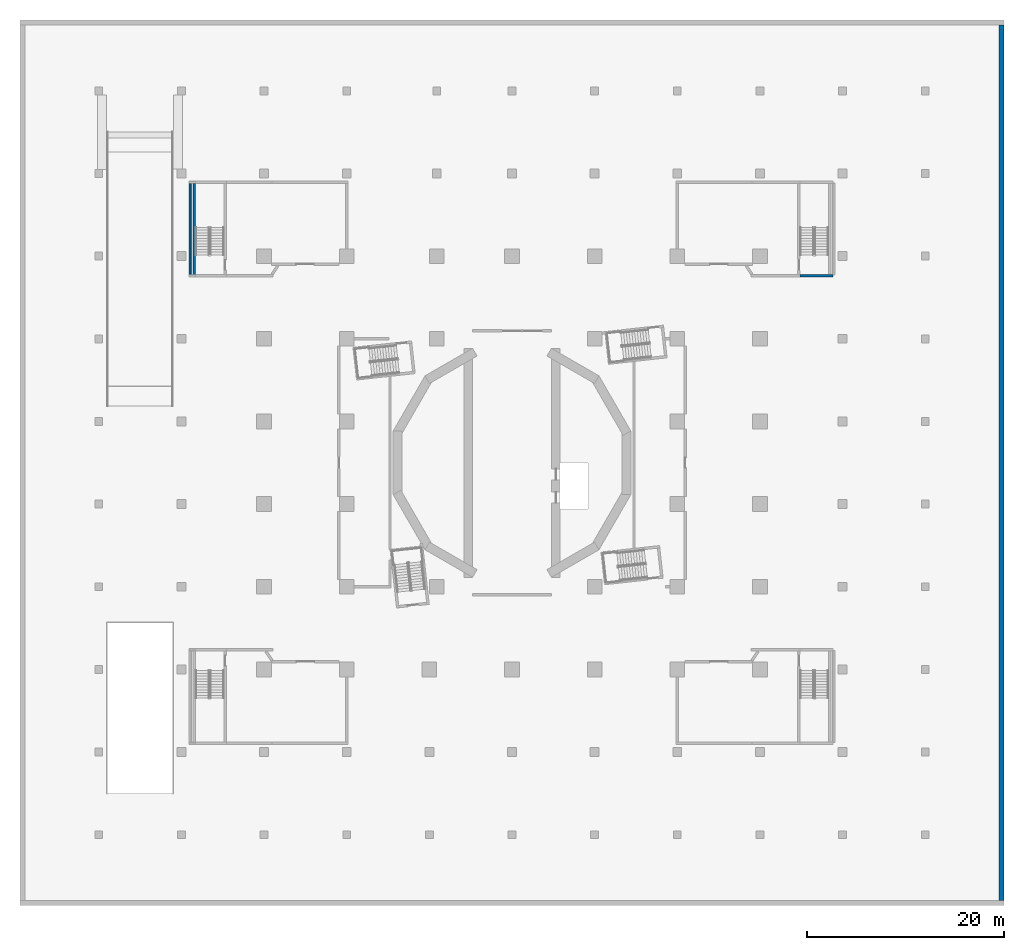
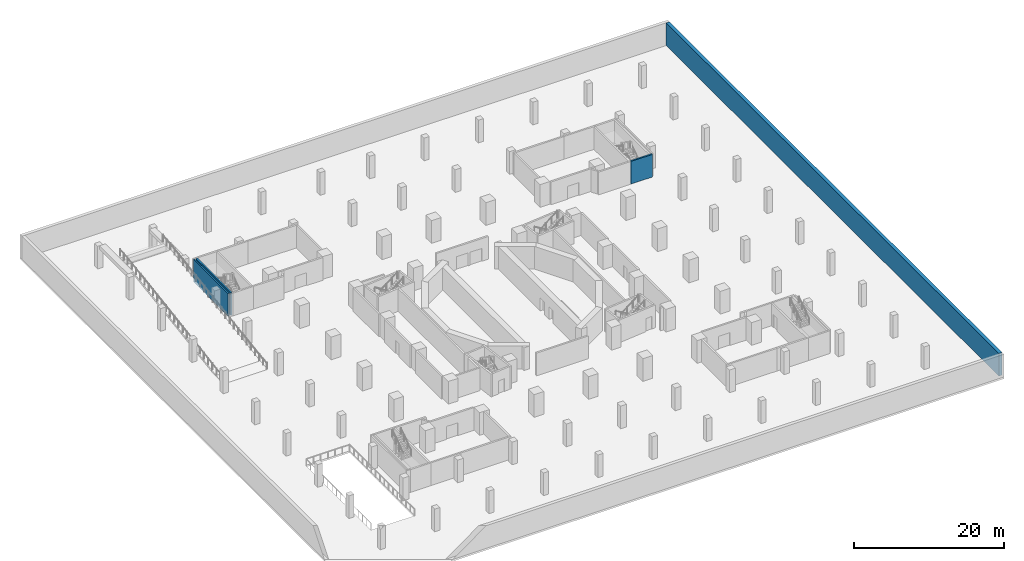
# One storey, part 7 of 18: 4 walls.
"""IFC4 building model written with IfcOpenShell, lengths in metres."""

import ifcopenshell
import ifcopenshell.guid

model = None  # the IFC model being written
_history = None  # IfcOwnerHistory: only IFC2X3 demands one
_inside = {}  # id of a spatial element -> (the spatial element, [elements in it])
_under = {}  # id of a project, library or spatial element -> (it, [spatial elements below it])
_declared = {}  # id of a project -> (the project, [libraries it declares])
_typed = {}  # id of a type object -> (the type object, [elements of that type])
_made_of = {}  # id of a material, layer set ... -> (it, [elements and type objects made of it])


def new_model(schema):
    """Start an empty IFC model of exactly this schema.

    Asked for "IFC4X3", IfcOpenShell would pick the latest addendum, in which some entities
    have other attributes; the version numbers below select the first issue.
    IFC2X3 requires an IfcOwnerHistory on every rooted entity: one is made here for all.
    """
    global model, _history
    if schema == "IFC4X3":
        model = ifcopenshell.file(schema_version=(4, 3, 0, 0))
    else:
        model = ifcopenshell.file(schema=schema)
    _inside.clear()
    _under.clear()
    _declared.clear()
    _typed.clear()
    _made_of.clear()
    _history = None
    if model.schema == "IFC2X3":
        org = make("IfcOrganization", Name="unknown")
        user = make(
            "IfcPersonAndOrganization",
            ThePerson=make("IfcPerson", FamilyName="unknown"),
            TheOrganization=org,
        )
        app = make(
            "IfcApplication",
            ApplicationDeveloper=org,
            Version="unknown",
            ApplicationFullName="unknown",
            ApplicationIdentifier="unknown",
        )
        _history = make(
            "IfcOwnerHistory",
            OwningUser=user,
            OwningApplication=app,
            ChangeAction="ADDED",
            CreationDate=0,
        )
    return model


def make(cls, **values):
    """One entity of the class cls with the attributes given. An attribute that is None is left unset."""
    return model.create_entity(
        cls, **{name: value for name, value in values.items() if value is not None}
    )


def rooted(cls, **values):
    """An entity with a GlobalId (a new one), such as an element, a storey or a relation."""
    return make(cls, GlobalId=ifcopenshell.guid.new(), OwnerHistory=_history, **values)


def si_unit(unit_type, name, prefix=None):
    """IfcSIUnit, for example si_unit("LENGTHUNIT", "METRE", prefix="MILLI")."""
    return make("IfcSIUnit", UnitType=unit_type, Prefix=prefix, Name=name)


def assignment(units):
    """IfcUnitAssignment: the units of a project."""
    return None if units is None else make("IfcUnitAssignment", Units=units)


def point(xyz):
    """IfcCartesianPoint."""
    return None if xyz is None else make("IfcCartesianPoint", Coordinates=xyz)


def direction(xyz):
    """IfcDirection."""
    return None if xyz is None else make("IfcDirection", DirectionRatios=xyz)


def frame(location, z_axis=None, x_axis=None):
    """IfcAxis2Placement3D, a coordinate frame: its origin and axes. An axis left out is left unset."""
    return make(
        "IfcAxis2Placement3D",
        Location=point(location),
        Axis=direction(z_axis),
        RefDirection=direction(x_axis),
    )


def frame_2d(location, x_axis=None):
    """IfcAxis2Placement2D, a coordinate frame in the plane: its origin and x axis."""
    return make(
        "IfcAxis2Placement2D", Location=point(location), RefDirection=direction(x_axis)
    )


def origin():
    """The frame at (0, 0, 0) with its axes left unset."""
    return frame((0.0, 0.0, 0.0))


def place(relative_to, where):
    """IfcLocalPlacement: puts the frame where relative to a parent placement (None: the world)."""
    return make(
        "IfcLocalPlacement", PlacementRelTo=relative_to, RelativePlacement=where
    )


def context(
    kind, dimensions, precision=None, world=None, true_north=None, identifier=None
):
    """IfcGeometricRepresentationContext, for example the 3D "Model" context."""
    return make(
        "IfcGeometricRepresentationContext",
        ContextIdentifier=identifier,
        ContextType=kind,
        CoordinateSpaceDimension=dimensions,
        Precision=precision,
        WorldCoordinateSystem=world,
        TrueNorth=true_north,
    )


def subcontext(parent, identifier, kind, view, scale=None):
    """IfcGeometricRepresentationSubContext, for example "Body" below "Model"."""
    return make(
        "IfcGeometricRepresentationSubContext",
        ContextIdentifier=identifier,
        ContextType=kind,
        ParentContext=parent,
        TargetScale=scale,
        TargetView=view,
    )


def project(units=None, contexts=None):
    """IfcProject with its units and contexts."""
    return rooted(
        "IfcProject",
        Name="project",
        RepresentationContexts=contexts,
        UnitsInContext=assignment(units),
    )


def spatial(cls, under=None, at=None, **own):
    """A site, building, storey or space (cls), placed at a placement, below another one or the project."""
    s = rooted(cls, ObjectPlacement=at, **own)
    if under is not None:
        _under.setdefault(under.id(), (under, []))[1].append(s)
    return s


def profile(cls, at=None, kind="AREA", **sizes):
    """A parametric profile (cls). Its sizes go by their IFC names, for example OverallWidth=200.0."""
    return make(cls, ProfileType=kind, Position=at, **sizes)


def rectangle(**sizes):
    """IfcRectangleProfileDef."""
    return profile("IfcRectangleProfileDef", **sizes)


def extrude(swept, where, along, depth):
    """IfcExtrudedAreaSolid: the profile swept, set in the frame where, extruded along a direction by depth."""
    return make(
        "IfcExtrudedAreaSolid",
        SweptArea=swept,
        Position=where,
        ExtrudedDirection=direction(along),
        Depth=depth,
    )


def shape(context_of_items, identifier, shape_type, items):
    """IfcShapeRepresentation: the items that make up one representation, for example the "Body"."""
    return make(
        "IfcShapeRepresentation",
        ContextOfItems=context_of_items,
        RepresentationIdentifier=identifier,
        RepresentationType=shape_type,
        Items=items,
    )


def material(Name=None, Category=None):
    """IfcMaterial."""
    return make("IfcMaterial", Name=Name, Category=Category)


def layer(
    of_material, thickness, ventilated=None, Name=None, Category=None, Priority=None
):
    """IfcMaterialLayer: one layer of a wall or slab, of a material (None: an air gap)."""
    return make(
        "IfcMaterialLayer",
        Material=of_material,
        LayerThickness=thickness,
        IsVentilated=ventilated,
        Name=Name,
        Category=Category,
        Priority=Priority,
    )


def layer_set(layers, Name=None):
    """IfcMaterialLayerSet."""
    return make("IfcMaterialLayerSet", MaterialLayers=layers, LayerSetName=Name)


def made_of(thing, what):
    """Note that an element or type object is made of a material, layer set ...; save() writes the relation."""
    if what is not None:
        _made_of.setdefault(what.id(), (what, []))[1].append(thing)
    return thing


def type_object(cls, material=None, **own):
    """A type object (cls), such as IfcWallType, which elements share."""
    return made_of(rooted(cls, **own), material)


def element(
    cls,
    number,
    at=None,
    inside=None,
    cuts=None,
    type_object=None,
    material=None,
    context=None,
    identifier="Body",
    shape_type=None,
    held_by="IfcProductDefinitionShape",
    body=None,
    shapes=None,
    **own,
):
    """One element of the class cls, such as IfcWall. Its Tag is "e" and its number.

    at: its placement. inside: the storey or other place that contains it. cuts: it is an
    opening in that element (IfcRelVoidsElement). A single representation is given by context,
    identifier, shape_type and body (its items); several are given by shapes. held_by: the class
    of the entity that holds the representations. save() writes the other relations.
    """
    e = rooted(cls, Tag="e%d" % number, ObjectPlacement=at, **own)
    if body is not None:
        shapes = [shape(context, identifier, shape_type, body)]
    if shapes is not None:
        e.Representation = make(held_by, Representations=shapes)
    if inside is not None:
        _inside.setdefault(inside.id(), (inside, []))[1].append(e)
    if cuts is not None:
        rooted(
            "IfcRelVoidsElement", RelatingBuildingElement=cuts, RelatedOpeningElement=e
        )
    if type_object is not None:
        _typed.setdefault(type_object.id(), (type_object, []))[1].append(e)
    return made_of(e, material)


def aggregate(whole, parts):
    """IfcRelAggregates: a whole, such as a stair, and the parts it consists of."""
    return rooted("IfcRelAggregates", RelatingObject=whole, RelatedObjects=parts)


def save(model, path):
    """Write the relations noted so far, then the file.

    IfcRelAggregates (storeys below a building ...), IfcRelContainedInSpatialStructure (elements
    in a storey), IfcRelDefinesByType, IfcRelAssociatesMaterial and IfcRelDeclares: one each for
    every whole, place, type object, material and project.
    """
    for whole, parts in _under.values():
        aggregate(whole, parts)
    for where, things in _inside.values():
        rooted(
            "IfcRelContainedInSpatialStructure",
            RelatedElements=things,
            RelatingStructure=where,
        )
    for kind, things in _typed.values():
        rooted("IfcRelDefinesByType", RelatedObjects=things, RelatingType=kind)
    for what, things in _made_of.values():
        rooted("IfcRelAssociatesMaterial", RelatedObjects=things, RelatingMaterial=what)
    for by, libraries in _declared.values():
        rooted("IfcRelDeclares", RelatingContext=by, RelatedDefinitions=libraries)
    model.write(path)


model = new_model("IFC4")

# Units and contexts
model_context = context("Model", 3, precision=1e-05, world=origin(), true_north=direction((0.0, 1.0)))
body_context = subcontext(model_context, "Body", "Model", "MODEL_VIEW")
ifc_project = project(units=[si_unit("LENGTHUNIT", "METRE"), si_unit("AREAUNIT", "SQUARE_METRE"), si_unit("VOLUMEUNIT", "CUBIC_METRE"), si_unit("PLANEANGLEUNIT", "RADIAN"), si_unit("MASSUNIT", "GRAM", prefix="KILO")], contexts=[model_context])

# Site, building, storey
site_placement = place(None, origin())
site = spatial("IfcSite", under=ifc_project, at=site_placement, CompositionType="ELEMENT")
building_placement = place(site_placement, origin())
building = spatial("IfcBuilding", under=site, at=building_placement, Name="Cantera Rosa Tower", CompositionType="ELEMENT")
storey_placement = place(building_placement, frame((0.0, 0.0, -13.0)))
storey = spatial("IfcBuildingStorey", under=building, at=storey_placement, Name="B3", CompositionType="ELEMENT", Elevation=-13.0)

# Walls
ifc_material_1 = material(Name="Masonry blockwork", Category="masonry")
ifc_layer_1 = layer(ifc_material_1, 0.199951171875)
ifc_layer_set_1 = layer_set([ifc_layer_1], Name="Blockwork partition 200")
wall_type_1 = type_object("IfcWallType", Name="Blockwork partition 200", PredefinedType="PARTITIONING", material=ifc_layer_set_1)
wall_1_placement = place(storey_placement, frame((-32.699951171875, 19.10009765625, 0.0), z_axis=(0.0, 0.0, 1.0), x_axis=(0.0, 1.0, 0.0)))
element("IfcWall", 1, at=wall_1_placement, inside=storey, type_object=wall_type_1, Name="Partition B3-45", PredefinedType="PARTITIONING", context=body_context, shape_type="SweptSolid", body=[
    extrude(rectangle(XDim=9.2998046875, YDim=0.199951171875, at=frame_2d((4.64990234375, 0.0))), origin(), (0.0, 0.0, 1.0), 3.699951171875),
])
ifc_material_2 = material(Name="Concrete C50/60", Category="concrete")
ifc_layer_2 = layer(ifc_material_2, 0.25)
ifc_layer_set_2 = layer_set([ifc_layer_2], Name="External stair wall 250")
wall_type_2 = type_object("IfcWallType", Name="External stair wall 250", PredefinedType="SOLIDWALL", material=ifc_layer_set_2)
wall_2_placement = place(storey_placement, frame((32.60009765625, 19.0, 0.0), z_axis=(0.0, 0.0, 1.0), x_axis=(-1.0, 0.0, 0.0)))
element("IfcWall", 2, at=wall_2_placement, inside=storey, type_object=wall_type_2, Name="Stair wall B3-31", PredefinedType="SOLIDWALL", context=body_context, shape_type="SweptSolid", body=[
    extrude(rectangle(XDim=3.3251953125, YDim=0.25, at=frame_2d((1.66259765625, 0.0))), origin(), (0.0, 0.0, 1.0), 3.699951171875),
])
ifc_material_3 = material(Name="Concrete C50/60", Category="concrete")
ifc_layer_3 = layer(ifc_material_3, 0.25)
ifc_layer_set_3 = layer_set([ifc_layer_3], Name="RC stair wall 250 C50/60")
wall_type_3 = type_object("IfcWallType", Name="RC stair wall 250", PredefinedType="SOLIDWALL", material=ifc_layer_set_3)
wall_3_placement = place(storey_placement, frame((-32.300048828125, 19.10009765625, 0.0), z_axis=(0.0, 0.0, 1.0), x_axis=(0.0, 1.0, 0.0)))
element("IfcWall", 3, at=wall_3_placement, inside=storey, type_object=wall_type_3, Name="Stair wall B3-43", PredefinedType="SOLIDWALL", context=body_context, shape_type="SweptSolid", body=[
    extrude(rectangle(XDim=9.2998046875, YDim=0.25, at=frame_2d((4.64990234375, 0.0))), origin(), (0.0, 0.0, 1.0), 3.699951171875),
])
ifc_material_4 = material(Name="Concrete C40/50", Category="concrete")
ifc_layer_4 = layer(ifc_material_4, 0.5)
ifc_layer_set_4 = layer_set([ifc_layer_4], Name="Retaining wall 500")
wall_type_4 = type_object("IfcWallType", Name="Retaining wall 500", PredefinedType="SOLIDWALL", material=ifc_layer_set_4)
wall_4_placement = place(storey_placement, frame((49.75, -44.5, 0.0), z_axis=(0.0, 0.0, 1.0), x_axis=(0.0, 1.0, 0.0)))
element("IfcWall", 4, at=wall_4_placement, inside=storey, type_object=wall_type_4, Name="Retaining wall E B3", PredefinedType="SOLIDWALL", context=body_context, shape_type="SweptSolid", body=[
    extrude(rectangle(XDim=89.0, YDim=0.5, at=frame_2d((44.5, 0.0))), origin(), (0.0, 0.0, 1.0), 3.699951171875),
])

save(model, "model.ifc")
